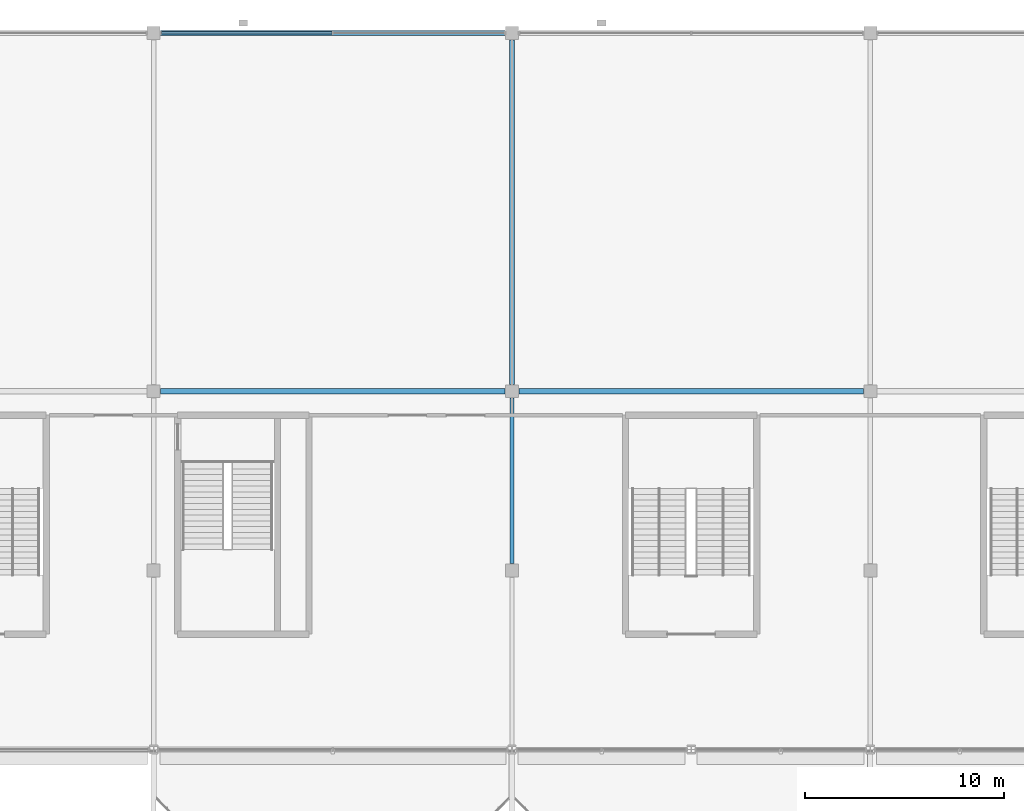
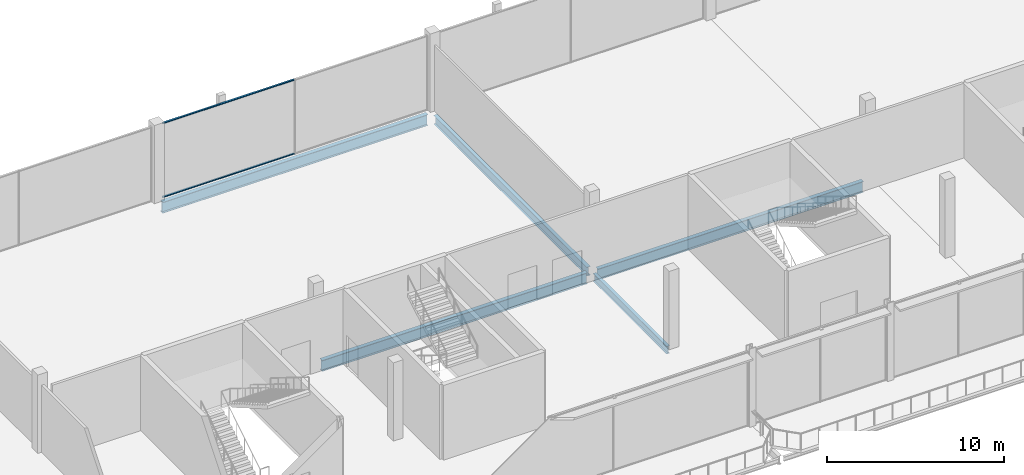
# One storey, part 40 of 113: 5 beams, 2 members, 1 element without a shape of its own.
"""IFC4 building model written with IfcOpenShell, lengths in metres."""

from ifc_helpers import new_model, si_unit, direction, frame, origin, origin_2d, place, context, subcontext, project, spatial, rectangle, i_section, extrude, material, layer, layer_set, material_profile, profile_set, type_object, element, aggregate, save


model = new_model("IFC4")

# Units and contexts
model_context = context("Model", 3, precision=1e-05, world=origin(), true_north=direction((0.0, 1.0)))
body_context = subcontext(model_context, "Body", "Model", "MODEL_VIEW")
ifc_project = project(units=[si_unit("LENGTHUNIT", "METRE"), si_unit("AREAUNIT", "SQUARE_METRE"), si_unit("VOLUMEUNIT", "CUBIC_METRE"), si_unit("PLANEANGLEUNIT", "RADIAN"), si_unit("MASSUNIT", "GRAM", prefix="KILO")], contexts=[model_context])

# Site, building, storey
site_placement = place(None, origin())
site = spatial("IfcSite", under=ifc_project, at=site_placement, CompositionType="ELEMENT")
building_placement = place(site_placement, origin())
building = spatial("IfcBuilding", under=site, at=building_placement, Name="Kisiwana Market Hall", CompositionType="ELEMENT")
storey_placement = place(building_placement, frame((0.0, 0.0, 6.0)))
storey = spatial("IfcBuildingStorey", under=building, at=storey_placement, Name="L01", CompositionType="ELEMENT", Elevation=6.0)

# Beams
ifc_material_1 = material(Name="Steel S355", Category="steel")
ifc_material_profile_1 = material_profile(ifc_material_1, i_section(OverallWidth=0.209228515625, OverallDepth=0.533203125, WebThickness=0.010009765625, FlangeThickness=0.015625, at=origin_2d()), Name="UB 533x210x92")
ifc_profile_set_1 = profile_set([ifc_material_profile_1], Name="Steel S355")
beam_type_1 = type_object("IfcBeamType", Name="BM-GIRD-UB533", PredefinedType="BEAM", material=ifc_profile_set_1)
beam_1_placement = place(storey_placement, frame((81.0, 93.345947265625, -0.5166015625), z_axis=(0.0, 1.0, 0.0), x_axis=(-1.0, 0.0, 0.0)))
element("IfcBeam", 1, at=beam_1_placement, inside=storey, type_object=beam_type_1, Name="Primary girder B-0371", PredefinedType="BEAM", context=body_context, shape_type="SweptSolid", body=[
    extrude(i_section(OverallWidth=0.209228515625, OverallDepth=0.533203125, WebThickness=0.010009765625, FlangeThickness=0.015625, at=origin_2d()), origin(), (0.0, 0.0, 1.0), 8.30810546875),
])
ifc_material_2 = material(Name="Steel S355", Category="steel")
ifc_material_profile_2 = material_profile(ifc_material_2, i_section(OverallWidth=0.22900390625, OverallDepth=0.6123046875, WebThickness=0.011962890625, FlangeThickness=0.01953125, at=origin_2d()), Name="UB 610x229x125")
ifc_profile_set_2 = profile_set([ifc_material_profile_2], Name="Steel S355")
beam_type_2 = type_object("IfcBeamType", Name="BM-GIRD-UB610H", PredefinedType="BEAM", material=ifc_profile_set_2)
beam_2_placement = place(storey_placement, frame((81.0, 102.345947265625, -0.55615234375), z_axis=(0.0, 1.0, 0.0), x_axis=(-1.0, 0.0, 0.0)))
element("IfcBeam", 2, at=beam_2_placement, inside=storey, type_object=beam_type_2, Name="Primary girder B-0372", PredefinedType="BEAM", context=body_context, shape_type="SweptSolid", body=[
    extrude(i_section(OverallWidth=0.22900390625, OverallDepth=0.6123046875, WebThickness=0.011962890625, FlangeThickness=0.01953125, at=origin_2d()), origin(), (0.0, 0.0, 1.0), 17.30810546875),
])
ifc_material_3 = material(Name="Steel S355", Category="steel")
ifc_material_profile_3 = material_profile(ifc_material_3, i_section(OverallWidth=0.2666015625, OverallDepth=0.76220703125, WebThickness=0.014404296875, FlangeThickness=0.021484375, at=origin_2d()), Name="UB 762x267x173")
ifc_profile_set_3 = profile_set([ifc_material_profile_3], Name="Steel S355")
beam_type_3 = type_object("IfcBeamType", Name="BM-GIRD-UB762", PredefinedType="BEAM", material=ifc_profile_set_3)
for number, where, z_axis, x_axis, name in (
    (3, (63.345947265625, 102.0, -0.631103515625), (1.0, 0.0, 0.0), (0.0, 1.0, 0.0), "Floor beam B-0524"),
    (4, (81.345947265625, 102.0, -0.631103515625), (1.0, 0.0, 0.0), (0.0, 1.0, 0.0), "Floor beam B-0525"),
    (5, (63.345947265625, 120.0, -0.631103515625), (1.0, 0.0, 0.0), (0.0, 1.0, 0.0), "Floor beam B-0546"),
):
    element("IfcBeam", number, at=place(storey_placement, frame(where, z_axis=z_axis, x_axis=x_axis)), inside=storey, type_object=beam_type_3, Name=name, PredefinedType="BEAM", context=body_context, shape_type="SweptSolid", body=[
        extrude(i_section(OverallWidth=0.2666015625, OverallDepth=0.76220703125, WebThickness=0.014404296875, FlangeThickness=0.021484375, at=origin_2d()), origin(), (0.0, 0.0, 1.0), 17.30810546875),
    ])

# Curtain wall, members
ifc_material_4 = material(Name="Double-glazed solar-control low-E IGU", Category="glass")
ifc_layer = layer(ifc_material_4, 0.159912109375)
ifc_layer_set = layer_set([ifc_layer], Name="CW-FC-N-8100")
curtain_wall_type = type_object("IfcCurtainWallType", Name="CW-FC-N-8100", PredefinedType="USERDEFINED", material=ifc_layer_set)
curtain_wall_placement = place(storey_placement, origin())
curtain_wall = element("IfcCurtainWall", 6, at=curtain_wall_placement, inside=storey, type_object=curtain_wall_type, Name="Unitised curtain wall CW-037 (L01)", ObjectType="UNITISED CURTAIN WALL", PredefinedType="USERDEFINED")
ifc_material_5 = material(Name="Aluminium alloy 6063-T6", Category="aluminium")
ifc_material_profile_4 = material_profile(ifc_material_5, rectangle(XDim=0.1201171875, YDim=0.06005859375, at=origin_2d()), Name="ALU TRANSOM 60x120")
ifc_profile_set_4 = profile_set([ifc_material_profile_4], Name="Aluminium alloy 6063-T6")
member_type = type_object("IfcMemberType", Name="CW-TRAN-60x120", PredefinedType="USERDEFINED", material=ifc_profile_set_4)
member_1_placement = place(storey_placement, frame((63.385009765625, 120.0, 0.030029296875), z_axis=(1.0, 0.0, 0.0), x_axis=(0.0, 1.0, 0.0)))
member_1 = element("IfcMember", 7, at=member_1_placement, type_object=member_type, Name="CW-037 transom 1.1", ObjectType="TRANSOM", PredefinedType="USERDEFINED", context=body_context, shape_type="SweptSolid", body=[
    extrude(rectangle(XDim=0.1201171875, YDim=0.06005859375, at=origin_2d()), origin(), (0.0, 0.0, 1.0), 8.5849609375),
])
member_2_placement = place(storey_placement, frame((63.385009765625, 120.0, 5.1201171875), z_axis=(1.0, 0.0, 0.0), x_axis=(0.0, 1.0, 0.0)))
member_2 = element("IfcMember", 8, at=member_2_placement, type_object=member_type, Name="CW-037 transom 1.2", ObjectType="TRANSOM", PredefinedType="USERDEFINED", context=body_context, shape_type="SweptSolid", body=[
    extrude(rectangle(XDim=0.1201171875, YDim=0.06005859375, at=origin_2d()), origin(), (0.0, 0.0, 1.0), 8.5849609375),
])
aggregate(curtain_wall, [member_1, member_2])

save(model, "model.ifc")
